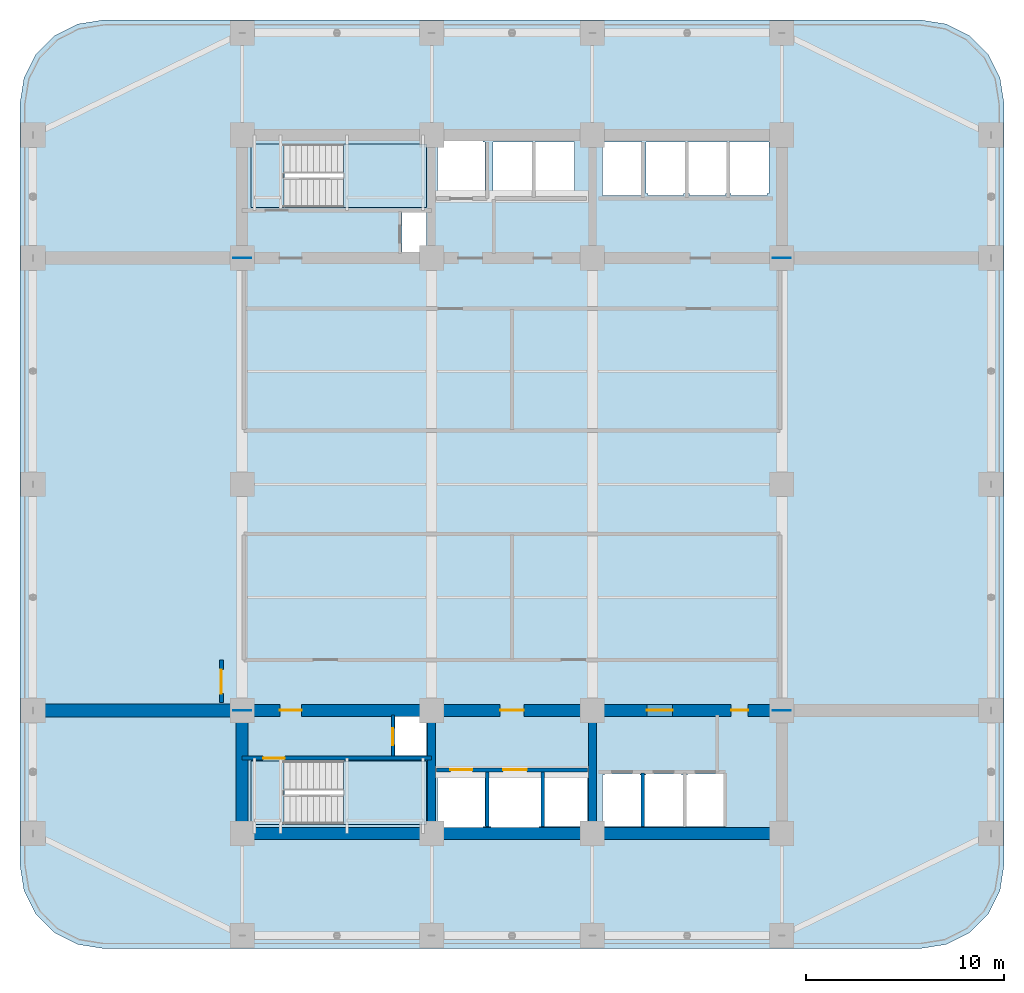
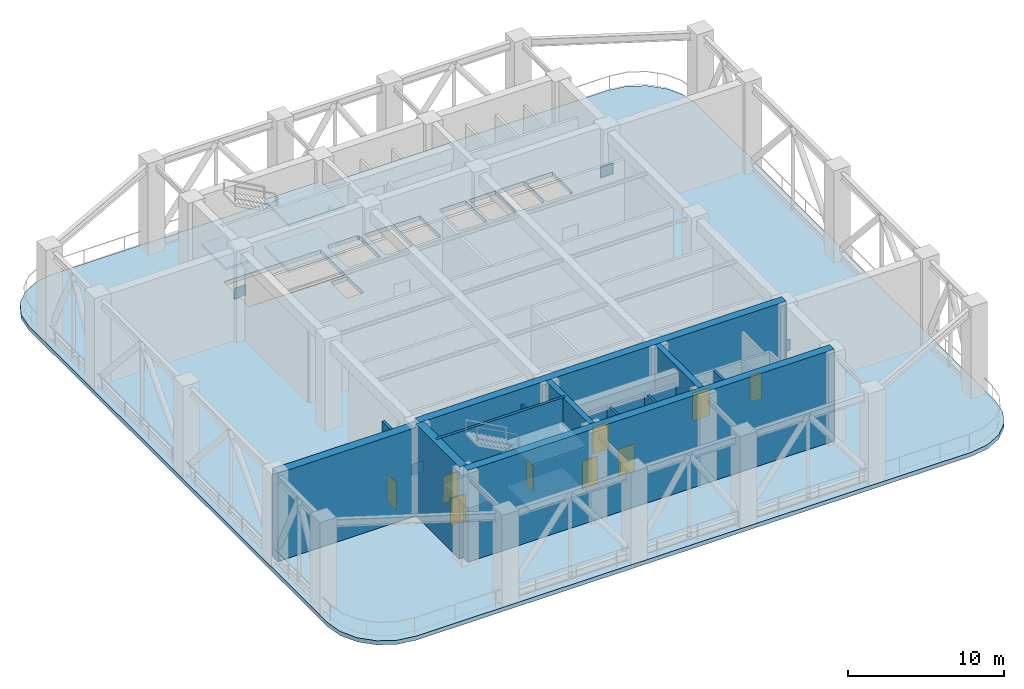
# One storey, part 10 of 20: 13 walls, 9 doors, 7 slabs, 4 plates, 9 openings, 2 elements without a shape of their own.
"""IFC4 building model written with IfcOpenShell, lengths in metres."""

from ifc_helpers import new_model, si_unit, direction, frame, frame_2d, origin, origin_2d, place, context, subcontext, project, spatial, polyline, rectangle, outline, extrude, material, layer, layer_set, type_object, element, fill, aggregate, save


model = new_model("IFC4")

# Units and contexts
model_context = context("Model", 3, precision=1e-05, world=origin(), true_north=direction((0.0, 1.0)))
body_context = subcontext(model_context, "Body", "Model", "MODEL_VIEW")
ifc_project = project(units=[si_unit("LENGTHUNIT", "METRE"), si_unit("AREAUNIT", "SQUARE_METRE"), si_unit("VOLUMEUNIT", "CUBIC_METRE"), si_unit("PLANEANGLEUNIT", "RADIAN"), si_unit("MASSUNIT", "GRAM", prefix="KILO")], contexts=[model_context])

# Site, building, storey
site_placement = place(None, origin())
site = spatial("IfcSite", under=ifc_project, at=site_placement, CompositionType="ELEMENT")
building_placement = place(site_placement, origin())
building = spatial("IfcBuilding", under=site, at=building_placement, Name="Svetorya Sky Lyceum", CompositionType="ELEMENT")
storey_placement = place(building_placement, frame((0.0, 0.0, 76.89990234375)))
storey = spatial("IfcBuildingStorey", under=building, at=storey_placement, Name="L19", CompositionType="ELEMENT", Elevation=76.89990234375)

# Plates
ifc_material_1 = material(Name="Steel S355", Category="steel")
ifc_layer_1 = layer(ifc_material_1, 0.031982421875)
ifc_layer_set_1 = layer_set([ifc_layer_1], Name="Steel S355")
plate_type = type_object("IfcPlateType", Name="PL-GUSSET-32", PredefinedType="USERDEFINED", material=ifc_layer_set_1)
for number, where, z_axis, x_axis, name in (
    (1, (25.60009765625, 16.800048828125, 3.03515625), (0.0, 0.0, 1.0), (1.0, 0.0, 0.0), "L19 Outrigger Core Gusset Plate 1"),
    (2, (52.800048828125, 16.800048828125, 3.03515625), (0.0, 0.0, 1.0), (1.0, 0.0, 0.0), "L19 Outrigger Core Gusset Plate 2"),
    (3, (25.60009765625, 39.60009765625, 3.03515625), (0.0, 0.0, 1.0), (1.0, 0.0, 0.0), "L19 Outrigger Core Gusset Plate 3"),
    (4, (52.800048828125, 39.60009765625, 3.03515625), (0.0, 0.0, 1.0), (1.0, 0.0, 0.0), "L19 Outrigger Core Gusset Plate 4"),
):
    element("IfcPlate", number, at=place(storey_placement, frame(where, z_axis=z_axis, x_axis=x_axis)), inside=storey, type_object=plate_type, Name=name, ObjectType="GUSSET", PredefinedType="USERDEFINED", context=body_context, shape_type="SweptSolid", body=[
        extrude(rectangle(XDim=0.89990234375, YDim=0.031982421875, at=origin_2d()), origin(), (0.0, 0.0, 1.0), 0.85009765625),
    ])

# Slab
ifc_material_2 = material(Name="Concrete C50/60", Category="concrete")
ifc_layer_2 = layer(ifc_material_2, 0.320068359375)
ifc_layer_set_2 = layer_set([ifc_layer_2], Name="Concrete C50/60")
slab_type_1 = type_object("IfcSlabType", Name="SL-PRT-320", PredefinedType="FLOOR", material=ifc_layer_set_2)
slab_1_placement = place(storey_placement, frame((0.0, 0.0, -0.31982421875)))
element("IfcSlab", 5, at=slab_1_placement, inside=storey, type_object=slab_type_1, Name="L19 Structural Floor Slab", PredefinedType="FLOOR", context=body_context, shape_type="SweptSolid", body=[
    extrude(outline(polyline([(14.39990234375, 9.0), (14.605712890625, 7.7021484375), (15.2021484375, 6.53125), (16.13134765625, 5.60205078125), (17.302001953125, 5.005615234375), (18.60009765625, 4.800048828125), (59.800048828125, 4.800048828125), (61.097900390625, 5.005615234375), (62.268798828125, 5.60205078125), (63.197998046875, 6.53125), (63.79443359375, 7.7021484375), (64.0, 9.0), (64.0, 47.39990234375), (63.79443359375, 48.697998046875), (63.197998046875, 49.86865234375), (62.268798828125, 50.7978515625), (61.097900390625, 51.394287109375), (59.800048828125, 51.60009765625), (18.60009765625, 51.60009765625), (17.302001953125, 51.394287109375), (16.13134765625, 50.7978515625), (15.2021484375, 49.86865234375), (14.605712890625, 48.697998046875), (14.39990234375, 47.39990234375), (14.39990234375, 9.0)]), holes=[polyline([(35.550048828125, 13.64990234375), (37.75, 13.64990234375), (37.85009765625, 13.64990234375), (37.85009765625, 10.949951171875), (37.75, 10.949951171875), (37.75, 10.85009765625), (35.550048828125, 10.85009765625), (35.550048828125, 10.949951171875), (35.449951171875, 10.949951171875), (35.449951171875, 13.64990234375), (35.550048828125, 13.64990234375)]), polyline([(40.64990234375, 10.949951171875), (40.550048828125, 10.949951171875), (40.550048828125, 10.800048828125), (38.14990234375, 10.800048828125), (38.14990234375, 10.949951171875), (38.050048828125, 10.949951171875), (38.050048828125, 13.64990234375), (38.14990234375, 13.64990234375), (38.14990234375, 13.699951171875), (40.550048828125, 13.699951171875), (40.550048828125, 13.64990234375), (40.64990234375, 13.64990234375), (40.64990234375, 10.949951171875)]), polyline([(40.85009765625, 13.64990234375), (43.0, 13.64990234375), (43.0, 10.949951171875), (40.85009765625, 10.949951171875), (40.85009765625, 13.64990234375)]), polyline([(27.719970703125, 14.25), (34.89990234375, 14.25), (34.89990234375, 11.050048828125), (27.719970703125, 11.050048828125), (27.719970703125, 14.25)]), polyline([(33.300048828125, 16.580078125), (34.89990234375, 16.580078125), (34.89990234375, 14.52001953125), (33.300048828125, 14.52001953125), (33.300048828125, 16.580078125)]), polyline([(33.64990234375, 39.820068359375), (33.64990234375, 41.89990234375), (34.89990234375, 41.89990234375), (34.89990234375, 39.820068359375), (33.64990234375, 39.820068359375)]), polyline([(27.719970703125, 45.35009765625), (34.89990234375, 45.35009765625), (34.89990234375, 42.14990234375), (27.719970703125, 42.14990234375), (27.719970703125, 45.35009765625)]), polyline([(35.550048828125, 42.75), (35.449951171875, 42.75), (35.449951171875, 45.449951171875), (35.550048828125, 45.449951171875), (35.550048828125, 45.550048828125), (37.75, 45.550048828125), (37.75, 45.449951171875), (37.85009765625, 45.449951171875), (37.85009765625, 42.75), (37.75, 42.75), (35.550048828125, 42.75)]), polyline([(40.199951171875, 42.85009765625), (40.199951171875, 42.75), (38.39990234375, 42.75), (38.39990234375, 42.85009765625), (38.25, 42.85009765625), (38.25, 45.449951171875), (38.39990234375, 45.449951171875), (40.199951171875, 45.449951171875), (40.25, 45.449951171875), (40.25, 42.85009765625), (40.199951171875, 42.85009765625)]), polyline([(40.39990234375, 42.85009765625), (40.35009765625, 42.85009765625), (40.35009765625, 45.449951171875), (40.39990234375, 45.449951171875), (42.300048828125, 45.449951171875), (42.35009765625, 45.449951171875), (42.35009765625, 42.85009765625), (42.300048828125, 42.85009765625), (42.300048828125, 42.75), (40.39990234375, 42.75), (40.39990234375, 42.85009765625)]), polyline([(43.85009765625, 10.949951171875), (43.75, 10.949951171875), (43.75, 13.550048828125), (43.85009765625, 13.550048828125), (43.85009765625, 13.60009765625), (45.64990234375, 13.60009765625), (45.64990234375, 13.550048828125), (45.75, 13.550048828125), (45.75, 10.949951171875), (45.64990234375, 10.949951171875), (43.85009765625, 10.949951171875)]), polyline([(45.949951171875, 10.949951171875), (45.85009765625, 10.949951171875), (45.85009765625, 13.550048828125), (45.949951171875, 13.550048828125), (45.949951171875, 13.60009765625), (47.75, 13.60009765625), (47.75, 13.550048828125), (47.85009765625, 13.550048828125), (47.85009765625, 10.949951171875), (47.75, 10.949951171875), (45.949951171875, 10.949951171875)]), polyline([(49.85009765625, 13.550048828125), (49.949951171875, 13.550048828125), (49.949951171875, 10.949951171875), (49.85009765625, 10.949951171875), (48.050048828125, 10.949951171875), (47.949951171875, 10.949951171875), (47.949951171875, 13.550048828125), (48.050048828125, 13.550048828125), (48.050048828125, 13.60009765625), (49.85009765625, 13.60009765625), (49.85009765625, 13.550048828125)]), polyline([(43.75, 42.85009765625), (43.75, 45.449951171875), (45.699951171875, 45.449951171875), (45.75, 45.449951171875), (45.75, 42.85009765625), (45.699951171875, 42.85009765625), (45.699951171875, 42.75), (43.75, 42.75), (43.75, 42.85009765625)]), polyline([(46.050048828125, 42.85009765625), (45.949951171875, 42.85009765625), (45.949951171875, 45.449951171875), (46.050048828125, 45.449951171875), (47.85009765625, 45.449951171875), (47.949951171875, 45.449951171875), (47.949951171875, 42.85009765625), (47.85009765625, 42.85009765625), (47.85009765625, 42.75), (46.050048828125, 42.75), (46.050048828125, 42.85009765625)]), polyline([(48.14990234375, 42.85009765625), (48.050048828125, 42.85009765625), (48.050048828125, 45.449951171875), (48.14990234375, 45.449951171875), (49.949951171875, 45.449951171875), (50.050048828125, 45.449951171875), (50.050048828125, 42.85009765625), (49.949951171875, 42.85009765625), (49.949951171875, 42.75), (48.14990234375, 42.75), (48.14990234375, 42.85009765625)]), polyline([(50.25, 42.85009765625), (50.14990234375, 42.85009765625), (50.14990234375, 45.449951171875), (50.25, 45.449951171875), (52.050048828125, 45.449951171875), (52.14990234375, 45.449951171875), (52.14990234375, 42.85009765625), (52.050048828125, 42.85009765625), (52.050048828125, 42.75), (50.25, 42.75), (50.25, 42.85009765625)])]), origin(), (0.0, 0.0, 1.0), 0.31982421875),
])

# Stair, slabs
ifc_material_3 = material(Name="Concrete C40/50", Category="concrete")
stair_type_1 = type_object("IfcStairType", Name="STR-ST-S", PredefinedType="HALF_TURN_STAIR", material=ifc_material_3)
stair_1_placement = place(storey_placement, origin())
stair_1 = element("IfcStair", 6, at=stair_1_placement, inside=storey, type_object=stair_type_1, Name="L19 South Core Smoke-Free Exit Stair N2", PredefinedType="HALF_TURN_STAIR")
ifc_layer_3 = layer(ifc_material_3, 0.199951171875)
ifc_layer_set_3 = layer_set([ifc_layer_3], Name="Concrete C40/50")
slab_type_2 = type_object("IfcSlabType", Name="SL-STR-LAND-200", PredefinedType="LANDING", material=ifc_layer_set_3)
slab_2_placement = place(storey_placement, frame((0.0, 0.0, 1.60009765625)))
slab_2 = element("IfcSlab", 7, at=slab_2_placement, type_object=slab_type_2, Name="ST-S landing 1", PredefinedType="LANDING", context=body_context, shape_type="SweptSolid", body=[
    extrude(outline(polyline([(30.699951171875, 11.050048828125), (34.89990234375, 11.050048828125), (34.89990234375, 14.25), (30.699951171875, 14.25), (30.699951171875, 11.050048828125)])), origin(), (0.0, 0.0, 1.0), 0.199951171875),
])
slab_3_placement = place(storey_placement, frame((0.0, 0.0, 3.400146484375)))
slab_3 = element("IfcSlab", 8, at=slab_3_placement, type_object=slab_type_2, Name="ST-S landing 2", PredefinedType="LANDING", context=body_context, shape_type="SweptSolid", body=[
    extrude(outline(polyline([(26.050048828125, 11.050048828125), (27.699951171875, 11.050048828125), (27.699951171875, 14.25), (26.050048828125, 14.25), (26.050048828125, 11.050048828125)])), origin(), (0.0, 0.0, 1.0), 0.199951171875),
])
slab_4_placement = place(storey_placement, frame((0.0, 0.0, 5.2001953125)))
slab_4 = element("IfcSlab", 9, at=slab_4_placement, type_object=slab_type_2, Name="ST-S landing 3", PredefinedType="LANDING", context=body_context, shape_type="SweptSolid", body=[
    extrude(outline(polyline([(30.699951171875, 11.050048828125), (34.89990234375, 11.050048828125), (34.89990234375, 14.25), (30.699951171875, 14.25), (30.699951171875, 11.050048828125)])), origin(), (0.0, 0.0, 1.0), 0.199951171875),
])
aggregate(stair_1, [slab_2, slab_3, slab_4])

stair_type_2 = type_object("IfcStairType", Name="STR-ST-N", PredefinedType="HALF_TURN_STAIR", material=ifc_material_3)
stair_2_placement = place(storey_placement, origin())
stair_2 = element("IfcStair", 10, at=stair_2_placement, inside=storey, type_object=stair_type_2, Name="L19 North Core Smoke-Free Exit Stair N3", PredefinedType="HALF_TURN_STAIR")
slab_5_placement = place(storey_placement, frame((0.0, 0.0, 1.60009765625)))
slab_5 = element("IfcSlab", 11, at=slab_5_placement, type_object=slab_type_2, Name="ST-N landing 1", PredefinedType="LANDING", context=body_context, shape_type="SweptSolid", body=[
    extrude(outline(polyline([(30.699951171875, 42.14990234375), (34.89990234375, 42.14990234375), (34.89990234375, 45.35009765625), (30.699951171875, 45.35009765625), (30.699951171875, 42.14990234375)])), origin(), (0.0, 0.0, 1.0), 0.199951171875),
])
slab_6_placement = place(storey_placement, frame((0.0, 0.0, 3.400146484375)))
slab_6 = element("IfcSlab", 12, at=slab_6_placement, type_object=slab_type_2, Name="ST-N landing 2", PredefinedType="LANDING", context=body_context, shape_type="SweptSolid", body=[
    extrude(outline(polyline([(26.050048828125, 42.14990234375), (27.699951171875, 42.14990234375), (27.699951171875, 45.35009765625), (26.050048828125, 45.35009765625), (26.050048828125, 42.14990234375)])), origin(), (0.0, 0.0, 1.0), 0.199951171875),
])
slab_7_placement = place(storey_placement, frame((0.0, 0.0, 5.2001953125)))
slab_7 = element("IfcSlab", 13, at=slab_7_placement, type_object=slab_type_2, Name="ST-N landing 3", PredefinedType="LANDING", context=body_context, shape_type="SweptSolid", body=[
    extrude(outline(polyline([(30.699951171875, 42.14990234375), (34.89990234375, 42.14990234375), (34.89990234375, 45.35009765625), (30.699951171875, 45.35009765625), (30.699951171875, 42.14990234375)])), origin(), (0.0, 0.0, 1.0), 0.199951171875),
])
aggregate(stair_2, [slab_5, slab_6, slab_7])

# Walls
ifc_layer_4 = layer(ifc_material_3, 0.39990234375)
ifc_layer_set_4 = layer_set([ifc_layer_4], Name="Concrete C40/50")
wall_type_1 = type_object("IfcWallType", Name="WL-CORE-400", PredefinedType="SHEAR", material=ifc_layer_set_4)
for number, where, z_axis, x_axis, name in (
    (14, (35.14990234375, 10.89990234375, 0.0), (0.0, 0.0, 1.0), (0.0, 1.0, 0.0), "L19 SC Internal Shear Web WEB1"),
    (15, (43.25, 10.89990234375, 0.0), (0.0, 0.0, 1.0), (0.0, 1.0, 0.0), "L19 SC Internal Shear Web WEB2"),
):
    element("IfcWall", number, at=place(storey_placement, frame(where, z_axis=z_axis, x_axis=x_axis)), inside=storey, type_object=wall_type_1, Name=name, PredefinedType="SHEAR", context=body_context, shape_type="SweptSolid", body=[
        extrude(rectangle(XDim=5.60009765625, YDim=0.39990234375, at=frame_2d((2.800048828125, 0.0))), origin(), (0.0, 0.0, 1.0), 7.2001953125),
    ])
ifc_material_4 = material(Name="Concrete C60/75", Category="concrete")
ifc_layer_5 = layer(ifc_material_4, 0.60009765625)
ifc_layer_set_5 = layer_set([ifc_layer_5], Name="Concrete C60/75")
wall_type_2 = type_object("IfcWallType", Name="WL-CORE-600", PredefinedType="SHEAR", material=ifc_layer_set_5)
wall_1_placement = place(storey_placement, frame((52.800048828125, 10.60009765625, 0.0), z_axis=(0.0, 0.0, 1.0), x_axis=(-1.0, 0.0, 0.0)))
element("IfcWall", 16, at=wall_1_placement, inside=storey, type_object=wall_type_2, Name="L19 SC Outer Core Shear Wall", PredefinedType="SHEAR", context=body_context, shape_type="SweptSolid", body=[
    extrude(rectangle(XDim=27.199951171875, YDim=0.60009765625, at=frame_2d((13.60009765625, 0.0))), origin(), (0.0, 0.0, 1.0), 7.2001953125),
])
wall_2_placement = place(storey_placement, frame((25.60009765625, 10.89990234375, 0.0), z_axis=(0.0, 0.0, 1.0), x_axis=(0.0, 1.0, 0.0)))
element("IfcWall", 17, at=wall_2_placement, inside=storey, type_object=wall_type_2, Name="L19 SC West Core Shear Wall", PredefinedType="SHEAR", context=body_context, shape_type="SweptSolid", body=[
    extrude(rectangle(XDim=5.60009765625, YDim=0.60009765625, at=frame_2d((2.800048828125, 0.0))), origin(), (0.0, 0.0, 1.0), 7.2001953125),
])

# Wall, openings, doors
wall_3_placement = place(storey_placement, frame((25.60009765625, 16.800048828125, 0.0), z_axis=(0.0, 0.0, 1.0), x_axis=(1.0, 0.0, 0.0)))
wall_3 = element("IfcWall", 18, at=wall_3_placement, inside=storey, type_object=wall_type_2, Name="L19 SC Inner Core Shear Wall", PredefinedType="SHEAR", context=body_context, shape_type="SweptSolid", body=[
    extrude(rectangle(XDim=27.199951171875, YDim=0.60009765625, at=frame_2d((13.60009765625, 0.0))), origin(), (0.0, 0.0, 1.0), 7.2001953125),
])
opening_1_placement = place(wall_3_placement, frame((1.89990234375, 0.0, 0.0)))
opening_1 = element("IfcOpeningElement", 19, at=opening_1_placement, cuts=wall_3, Name="Opening D-ST1", PredefinedType="OPENING", context=body_context, shape_type="SweptSolid", body=[
    extrude(rectangle(XDim=1.10009765625, YDim=2.14990234375, at=frame_2d((0.550048828125, 1.074951171875))), frame((0.0, 0.31005859375, 0.0), z_axis=(0.0, -1.0, 0.0), x_axis=(1.0, 0.0, 0.0)), (0.0, 0.0, 1.0), 0.6201171875),
])
opening_2_placement = place(wall_3_placement, frame((13.0, 0.0, 0.0)))
opening_2 = element("IfcOpeningElement", 20, at=opening_2_placement, cuts=wall_3, Name="Opening D-FL1", PredefinedType="OPENING", context=body_context, shape_type="SweptSolid", body=[
    extrude(rectangle(XDim=1.199951171875, YDim=2.14990234375, at=frame_2d((0.60009765625, 1.074951171875))), frame((0.0, 0.31005859375, 0.0), z_axis=(0.0, -1.0, 0.0), x_axis=(1.0, 0.0, 0.0)), (0.0, 0.0, 1.0), 0.6201171875),
])
opening_3_placement = place(wall_3_placement, frame((20.39990234375, 0.0, 0.0)))
opening_3 = element("IfcOpeningElement", 21, at=opening_3_placement, cuts=wall_3, Name="Opening D-LB1", PredefinedType="OPENING", context=body_context, shape_type="SweptSolid", body=[
    extrude(rectangle(XDim=1.300048828125, YDim=2.199951171875, at=frame_2d((0.64990234375, 1.10009765625))), frame((0.0, 0.31005859375, 0.0), z_axis=(0.0, -1.0, 0.0), x_axis=(1.0, 0.0, 0.0)), (0.0, 0.0, 1.0), 0.6201171875),
])
opening_4_placement = place(wall_3_placement, frame((24.64990234375, 0.0, 0.0)))
opening_4 = element("IfcOpeningElement", 22, at=opening_4_placement, cuts=wall_3, Name="Opening D-CWC1", PredefinedType="OPENING", context=body_context, shape_type="SweptSolid", body=[
    extrude(rectangle(XDim=0.85009765625, YDim=2.10009765625, at=frame_2d((0.425048828125, 1.050048828125))), frame((0.0, 0.31005859375, 0.0), z_axis=(0.0, -1.0, 0.0), x_axis=(1.0, 0.0, 0.0)), (0.0, 0.0, 1.0), 0.6201171875),
])
ifc_material_5 = material(Name="Fire-rated galvanized steel core service closet door", Category="steel")
door_type_1 = type_object("IfcDoorType", Name="DR-CWET-850", OperationType="SINGLE_SWING_LEFT", PredefinedType="DOOR", material=ifc_material_5)
door_1_placement = place(opening_4_placement, origin())
door_1 = element("IfcDoor", 23, at=door_1_placement, inside=storey, type_object=door_type_1, Name="L19 South Core Auxiliary Door", OperationType="SINGLE_SWING_LEFT", OverallHeight=2.10009765625, OverallWidth=0.85009765625, PredefinedType="DOOR", context=body_context, shape_type="SweptSolid", body=[
    extrude(rectangle(XDim=0.85009765625, YDim=2.10009765625, at=frame_2d((0.425048828125, 1.050048828125))), frame((0.0, 0.02490234375, 0.0), z_axis=(0.0, -1.0, 0.0), x_axis=(1.0, 0.0, 0.0)), (0.0, 0.0, 1.0), 0.050048828125),
])
fill(opening_4, door_1)
ifc_material_6 = material(Name="Powder-coated insulated galvanized stair fire door")
door_type_2 = type_object("IfcDoorType", Name="DR-FIRE-1100", OperationType="SINGLE_SWING_LEFT", PredefinedType="DOOR", material=ifc_material_6)
door_2_placement = place(opening_1_placement, origin())
door_2 = element("IfcDoor", 24, at=door_2_placement, inside=storey, type_object=door_type_2, Name="L19 South Stair Airlock Door", OperationType="SINGLE_SWING_RIGHT", OverallHeight=2.14990234375, OverallWidth=1.10009765625, PredefinedType="DOOR", context=body_context, shape_type="SweptSolid", body=[
    extrude(rectangle(XDim=1.10009765625, YDim=2.14990234375, at=frame_2d((0.550048828125, 1.074951171875))), frame((0.0, 0.02490234375, 0.0), z_axis=(0.0, -1.0, 0.0), x_axis=(1.0, 0.0, 0.0)), (0.0, 0.0, 1.0), 0.050048828125),
])
fill(opening_1, door_2)
ifc_material_7 = material(Name="Powder-coated insulated galvanized fire door")
door_type_3 = type_object("IfcDoorType", Name="DR-FIRE-1200", OperationType="SINGLE_SWING_LEFT", PredefinedType="DOOR", material=ifc_material_7)
door_3_placement = place(opening_2_placement, origin())
door_3 = element("IfcDoor", 25, at=door_3_placement, inside=storey, type_object=door_type_3, Name="L19 South Firefighting Lift Lobby Door", OperationType="SINGLE_SWING_LEFT", OverallHeight=2.14990234375, OverallWidth=1.199951171875, PredefinedType="DOOR", context=body_context, shape_type="SweptSolid", body=[
    extrude(rectangle(XDim=1.199951171875, YDim=2.14990234375, at=frame_2d((0.60009765625, 1.074951171875))), frame((0.0, 0.02490234375, 0.0), z_axis=(0.0, -1.0, 0.0), x_axis=(1.0, 0.0, 0.0)), (0.0, 0.0, 1.0), 0.050048828125),
])
fill(opening_2, door_3)
ifc_material_8 = material(Name="Glazed fire-rated aluminium lobby door", Category="aluminium")
door_type_4 = type_object("IfcDoorType", Name="DR-LOB-1300", OperationType="SINGLE_SWING_LEFT", PredefinedType="DOOR", material=ifc_material_8)
door_4_placement = place(opening_3_placement, origin())
door_4 = element("IfcDoor", 26, at=door_4_placement, inside=storey, type_object=door_type_4, Name="L19 Low-Rise Lift Lobby Door", OperationType="SINGLE_SWING_RIGHT", OverallHeight=2.199951171875, OverallWidth=1.300048828125, PredefinedType="DOOR", context=body_context, shape_type="SweptSolid", body=[
    extrude(rectangle(XDim=1.300048828125, YDim=2.199951171875, at=frame_2d((0.64990234375, 1.10009765625))), frame((0.0, 0.02490234375, 0.0), z_axis=(0.0, -1.0, 0.0), x_axis=(1.0, 0.0, 0.0)), (0.0, 0.0, 1.0), 0.050048828125),
])
fill(opening_3, door_4)

# Wall
ifc_layer_6 = layer(ifc_material_4, 0.64990234375)
ifc_layer_set_6 = layer_set([ifc_layer_6], Name="Concrete C60/75")
wall_type_3 = type_object("IfcWallType", Name="WL-OUTRIGGER-650", PredefinedType="SHEAR", material=ifc_layer_set_6)
wall_4_placement = place(storey_placement, frame((15.050048828125, 16.800048828125, 0.0), z_axis=(0.0, 0.0, 1.0), x_axis=(1.0, 0.0, 0.0)))
element("IfcWall", 27, at=wall_4_placement, inside=storey, type_object=wall_type_3, Name="L19 Concrete Outrigger Wall SW", PredefinedType="SHEAR", context=body_context, shape_type="SweptSolid", body=[
    extrude(rectangle(XDim=10.550048828125, YDim=0.64990234375, at=frame_2d((5.27490234375, 0.0))), origin(), (0.0, 0.0, 1.0), 6.920166015625),
])

# Wall, opening, door
ifc_material_9 = material(Name="Autoclaved cellular masonry blockwork with acoustic render", Category="masonry")
ifc_layer_7 = layer(ifc_material_9, 0.14990234375)
ifc_layer_set_7 = layer_set([ifc_layer_7], Name="Autoclaved cellular masonry blockwork with acoustic render")
wall_type_4 = type_object("IfcWallType", Name="WL-PART-150", PredefinedType="PARTITIONING", material=ifc_layer_set_7)
wall_5_placement = place(storey_placement, frame((33.199951171875, 14.5, 0.0), z_axis=(0.0, 0.0, 1.0), x_axis=(0.0, 1.0, 0.0)))
wall_5 = element("IfcWall", 28, at=wall_5_placement, inside=storey, type_object=wall_type_4, Name="L19 Interior Partition SC-AIRDIV", PredefinedType="PARTITIONING", context=body_context, shape_type="SweptSolid", body=[
    extrude(rectangle(XDim=2.080078125, YDim=0.14990234375, at=frame_2d((1.0400390625, 0.0))), origin(), (0.0, 0.0, 1.0), 5.97998046875),
])
opening_5_placement = place(wall_5_placement, frame((0.550048828125, 0.0, 0.0)))
opening_5 = element("IfcOpeningElement", 29, at=opening_5_placement, cuts=wall_5, Name="Opening D-SH1", PredefinedType="OPENING", context=body_context, shape_type="SweptSolid", body=[
    extrude(rectangle(XDim=0.85009765625, YDim=2.050048828125, at=frame_2d((0.425048828125, 1.02490234375))), frame((0.0, 0.0849609375, 0.0), z_axis=(0.0, -1.0, 0.0), x_axis=(1.0, 0.0, 0.0)), (0.0, 0.0, 1.0), 0.169921875),
])
ifc_material_10 = material(Name="Insulated galvanized riser inspection fire door")
door_type_5 = type_object("IfcDoorType", Name="DR-SHFT-850", OperationType="SINGLE_SWING_LEFT", PredefinedType="TRAPDOOR", material=ifc_material_10)
door_5_placement = place(opening_5_placement, origin())
door_5 = element("IfcDoor", 30, at=door_5_placement, inside=storey, type_object=door_type_5, Name="L19 South Riser Access Door", OperationType="SINGLE_SWING_RIGHT", OverallHeight=2.050048828125, OverallWidth=0.85009765625, PredefinedType="TRAPDOOR", context=body_context, shape_type="SweptSolid", body=[
    extrude(rectangle(XDim=0.85009765625, YDim=2.050048828125, at=frame_2d((0.425048828125, 1.02490234375))), frame((0.0, 0.02490234375, 0.0), z_axis=(0.0, -1.0, 0.0), x_axis=(1.0, 0.0, 0.0)), (0.0, 0.0, 1.0), 0.050048828125),
])
fill(opening_5, door_5)

# Walls
ifc_material_11 = material(Name="Autoclaved cellular masonry blockwork with fire render", Category="masonry")
ifc_layer_8 = layer(ifc_material_11, 0.175048828125)
ifc_layer_set_8 = layer_set([ifc_layer_8], Name="Autoclaved cellular masonry blockwork with fire render")
wall_type_5 = type_object("IfcWallType", Name="WL-PART-175", PredefinedType="PARTITIONING", material=ifc_layer_set_8)
for number, where, z_axis, x_axis, name in (
    (31, (37.949951171875, 10.949951171875, 0.0), (0.0, 0.0, 1.0), (0.0, 1.0, 0.0), "L19 Interior Partition SC-SHD1"),
    (32, (40.75, 10.949951171875, 0.0), (0.0, 0.0, 1.0), (0.0, 1.0, 0.0), "L19 Interior Partition SC-SHD2"),
):
    element("IfcWall", number, at=place(storey_placement, frame(where, z_axis=z_axis, x_axis=x_axis)), inside=storey, type_object=wall_type_5, Name=name, PredefinedType="PARTITIONING", context=body_context, shape_type="SweptSolid", body=[
        extrude(rectangle(XDim=2.75, YDim=0.175048828125, at=frame_2d((1.375, 0.0))), origin(), (0.0, 0.0, 1.0), 5.97998046875),
    ])
wall_6_placement = place(storey_placement, frame((45.800048828125, 10.949951171875, 0.0), z_axis=(0.0, 0.0, 1.0), x_axis=(0.0, 1.0, 0.0)))
element("IfcWall", 33, at=wall_6_placement, inside=storey, type_object=wall_type_5, Name="L19 Interior Partition SC-PL-DIV1", PredefinedType="PARTITIONING", context=body_context, shape_type="SweptSolid", body=[
    extrude(rectangle(XDim=2.699951171875, YDim=0.175048828125, at=frame_2d((1.35009765625, 0.0))), origin(), (0.0, 0.0, 1.0), 5.97998046875),
])

# Wall, openings, doors
ifc_material_12 = material(Name="Autoclaved cellular masonry blockwork with gypsum plaster", Category="masonry")
ifc_layer_9 = layer(ifc_material_12, 0.199951171875)
ifc_layer_set_9 = layer_set([ifc_layer_9], Name="Autoclaved cellular masonry blockwork with gypsum plaster")
wall_type_6 = type_object("IfcWallType", Name="WL-PART-200", PredefinedType="PARTITIONING", material=ifc_layer_set_9)
wall_7_placement = place(storey_placement, frame((35.39990234375, 13.800048828125, 0.0), z_axis=(0.0, 0.0, 1.0), x_axis=(1.0, 0.0, 0.0)))
wall_7 = element("IfcWall", 34, at=wall_7_placement, inside=storey, type_object=wall_type_6, Name="L19 Interior Partition SC-FLW", PredefinedType="PARTITIONING", context=body_context, shape_type="SweptSolid", body=[
    extrude(rectangle(XDim=7.60009765625, YDim=0.199951171875, at=frame_2d((3.800048828125, 0.0))), origin(), (0.0, 0.0, 1.0), 5.800048828125),
])
opening_6_placement = place(wall_7_placement, frame((0.699951171875, 0.0, 0.0)))
opening_6 = element("IfcOpeningElement", 35, at=opening_6_placement, cuts=wall_7, Name="Opening LD-FL", PredefinedType="OPENING", context=body_context, shape_type="SweptSolid", body=[
    extrude(rectangle(XDim=1.10009765625, YDim=2.14990234375, at=frame_2d((0.550048828125, 1.074951171875))), frame((0.0, 0.10986328125, 0.0), z_axis=(0.0, -1.0, 0.0), x_axis=(1.0, 0.0, 0.0)), (0.0, 0.0, 1.0), 0.219970703125),
])
opening_7_placement = place(wall_7_placement, frame((3.35009765625, 0.0, 0.0)))
opening_7 = element("IfcOpeningElement", 36, at=opening_7_placement, cuts=wall_7, Name="Opening LD-SV", PredefinedType="OPENING", context=body_context, shape_type="SweptSolid", body=[
    extrude(rectangle(XDim=1.199951171875, YDim=2.14990234375, at=frame_2d((0.60009765625, 1.074951171875))), frame((0.0, 0.10986328125, 0.0), z_axis=(0.0, -1.0, 0.0), x_axis=(1.0, 0.0, 0.0)), (0.0, 0.0, 1.0), 0.219970703125),
])
ifc_material_13 = material(Name="Fire-rated stainless AISI 304 firefighting lift landing door")
door_type_6 = type_object("IfcDoorType", Name="DR-LIFT-1100", OperationType="SLIDING_TO_LEFT", PredefinedType="DOOR", material=ifc_material_13)
door_6_placement = place(opening_6_placement, origin())
door_6 = element("IfcDoor", 37, at=door_6_placement, inside=storey, type_object=door_type_6, Name="L19 Firefighting Lift FL2 Landing Door", OperationType="SLIDING_TO_LEFT", OverallHeight=2.14990234375, OverallWidth=1.10009765625, PredefinedType="DOOR", context=body_context, shape_type="SweptSolid", body=[
    extrude(rectangle(XDim=1.10009765625, YDim=2.14990234375, at=frame_2d((0.550048828125, 1.074951171875))), frame((0.0, 0.02490234375, 0.0), z_axis=(0.0, -1.0, 0.0), x_axis=(1.0, 0.0, 0.0)), (0.0, 0.0, 1.0), 0.050048828125),
])
fill(opening_6, door_6)
ifc_material_14 = material(Name="Brushed stainless AISI 304 telescopic lift landing door")
door_type_7 = type_object("IfcDoorType", Name="DR-LIFT-1200", OperationType="SLIDING_TO_LEFT", PredefinedType="DOOR", material=ifc_material_14)
door_7_placement = place(opening_7_placement, origin())
door_7 = element("IfcDoor", 38, at=door_7_placement, inside=storey, type_object=door_type_7, Name="L19 Service Lift SVL1 Landing Door", OperationType="SLIDING_TO_LEFT", OverallHeight=2.14990234375, OverallWidth=1.199951171875, PredefinedType="DOOR", context=body_context, shape_type="SweptSolid", body=[
    extrude(rectangle(XDim=1.199951171875, YDim=2.14990234375, at=frame_2d((0.60009765625, 1.074951171875))), frame((0.0, 0.02490234375, 0.0), z_axis=(0.0, -1.0, 0.0), x_axis=(1.0, 0.0, 0.0)), (0.0, 0.0, 1.0), 0.050048828125),
])
fill(opening_7, door_7)

# Wall, opening, door
wall_8_placement = place(storey_placement, frame((24.550048828125, 17.199951171875, 0.0), z_axis=(0.0, 0.0, 1.0), x_axis=(0.0, 1.0, 0.0)))
wall_8 = element("IfcWall", 39, at=wall_8_placement, inside=storey, type_object=wall_type_6, Name="L19 Interior Partition REF-W-END", PredefinedType="PARTITIONING", context=body_context, shape_type="SweptSolid", body=[
    extrude(rectangle(XDim=2.150146484375, YDim=0.199951171875, at=frame_2d((1.0751953125, 0.0))), origin(), (0.0, 0.0, 1.0), 5.97998046875),
])
opening_8_placement = place(wall_8_placement, frame((0.449951171875, 0.0, 0.0)))
opening_8 = element("IfcOpeningElement", 40, at=opening_8_placement, cuts=wall_8, Name="Opening D-FL1", PredefinedType="OPENING", context=body_context, shape_type="SweptSolid", body=[
    extrude(rectangle(XDim=1.199951171875, YDim=2.14990234375, at=frame_2d((0.60009765625, 1.074951171875))), frame((0.0, 0.10986328125, 0.0), z_axis=(0.0, -1.0, 0.0), x_axis=(1.0, 0.0, 0.0)), (0.0, 0.0, 1.0), 0.219970703125),
])
door_8_placement = place(opening_8_placement, origin())
door_8 = element("IfcDoor", 41, at=door_8_placement, inside=storey, type_object=door_type_3, Name="L19 Wind-Portal Maintenance Deck Door", OperationType="SINGLE_SWING_LEFT", OverallHeight=2.14990234375, OverallWidth=1.199951171875, PredefinedType="DOOR", context=body_context, shape_type="SweptSolid", body=[
    extrude(rectangle(XDim=1.199951171875, YDim=2.14990234375, at=frame_2d((0.60009765625, 1.074951171875))), frame((0.0, 0.02490234375, 0.0), z_axis=(0.0, -1.0, 0.0), x_axis=(1.0, 0.0, 0.0)), (0.0, 0.0, 1.0), 0.050048828125),
])
fill(opening_8, door_8)

ifc_layer_10 = layer(ifc_material_2, 0.199951171875)
ifc_layer_set_10 = layer_set([ifc_layer_10], Name="Concrete C50/60")
wall_type_7 = type_object("IfcWallType", Name="WL-SHW-200", PredefinedType="SHEAR", material=ifc_layer_set_10)
wall_9_placement = place(storey_placement, frame((25.60009765625, 14.39990234375, 0.0), z_axis=(0.0, 0.0, 1.0), x_axis=(1.0, 0.0, 0.0)))
wall_9 = element("IfcWall", 42, at=wall_9_placement, inside=storey, type_object=wall_type_7, Name="L19 Structural Stair Shaft Wall SC-STW", PredefinedType="SHEAR", context=body_context, shape_type="SweptSolid", body=[
    extrude(rectangle(XDim=9.5498046875, YDim=0.199951171875, at=frame_2d((4.77490234375, 0.0))), origin(), (0.0, 0.0, 1.0), 7.2001953125),
])
opening_9_placement = place(wall_9_placement, frame((1.050048828125, 0.0, 0.0)))
opening_9 = element("IfcOpeningElement", 43, at=opening_9_placement, cuts=wall_9, Name="Opening D-ST1", PredefinedType="OPENING", context=body_context, shape_type="SweptSolid", body=[
    extrude(rectangle(XDim=1.10009765625, YDim=2.14990234375, at=frame_2d((0.550048828125, 1.074951171875))), frame((0.0, 0.10986328125, 0.0), z_axis=(0.0, -1.0, 0.0), x_axis=(1.0, 0.0, 0.0)), (0.0, 0.0, 1.0), 0.219970703125),
])
door_9_placement = place(opening_9_placement, origin())
door_9 = element("IfcDoor", 44, at=door_9_placement, inside=storey, type_object=door_type_2, Name="L19 Stair ST-S Vestibule Fire Door", OperationType="SINGLE_SWING_LEFT", OverallHeight=2.14990234375, OverallWidth=1.10009765625, PredefinedType="DOOR", context=body_context, shape_type="SweptSolid", body=[
    extrude(rectangle(XDim=1.10009765625, YDim=2.14990234375, at=frame_2d((0.550048828125, 1.074951171875))), frame((0.0, 0.02490234375, 0.0), z_axis=(0.0, -1.0, 0.0), x_axis=(1.0, 0.0, 0.0)), (0.0, 0.0, 1.0), 0.050048828125),
])
fill(opening_9, door_9)

save(model, "model.ifc")
